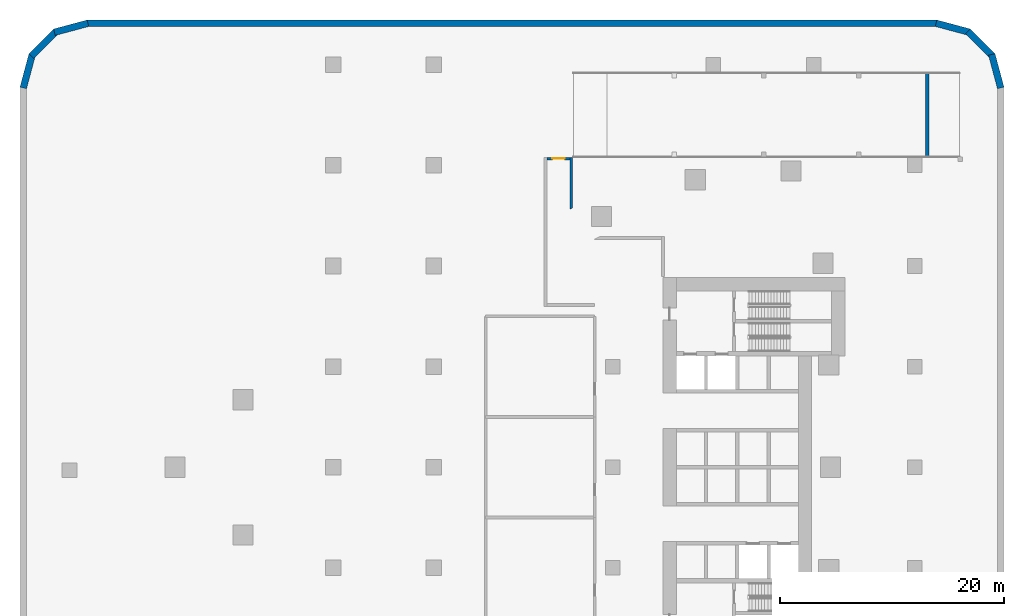
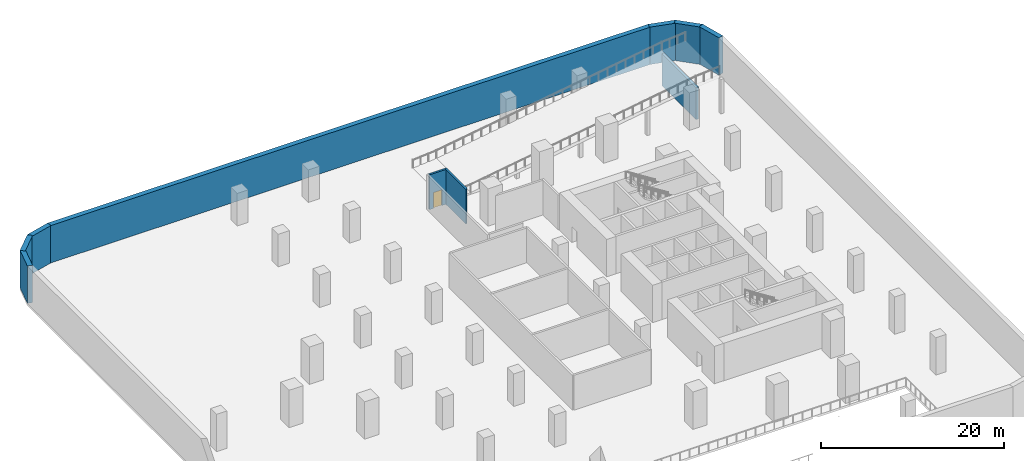
# One storey, part 5 of 9: 10 walls, 1 door, 1 opening.
"""IFC4 building model written with IfcOpenShell, lengths in metres."""

from ifc_helpers import new_model, si_unit, direction, frame, frame_2d, origin, place, context, subcontext, project, spatial, polyline, rectangle, outline, extrude, material, layer, layer_set, type_object, element, fill, save


model = new_model("IFC4")

# Units and contexts
model_context = context("Model", 3, precision=1e-05, world=origin(), true_north=direction((0.0, 1.0)))
body_context = subcontext(model_context, "Body", "Model", "MODEL_VIEW")
ifc_project = project(units=[si_unit("LENGTHUNIT", "METRE"), si_unit("AREAUNIT", "SQUARE_METRE"), si_unit("VOLUMEUNIT", "CUBIC_METRE"), si_unit("PLANEANGLEUNIT", "RADIAN"), si_unit("MASSUNIT", "GRAM", prefix="KILO")], contexts=[model_context])

# Site, building, storey
site_placement = place(None, origin())
site = spatial("IfcSite", under=ifc_project, at=site_placement, CompositionType="ELEMENT")
building_placement = place(site_placement, origin())
building = spatial("IfcBuilding", under=site, at=building_placement, Name="Ostrand Prow Hotel Tower", CompositionType="ELEMENT")
storey_placement = place(building_placement, frame((0.0, 0.0, -5.0)))
storey = spatial("IfcBuildingStorey", under=building, at=storey_placement, Name="B1", CompositionType="ELEMENT", Elevation=-5.0)

# Walls
ifc_material_1 = material(Name="Concrete C40/50", Category="concrete")
ifc_layer_1 = layer(ifc_material_1, 0.300048828125)
ifc_layer_set_1 = layer_set([ifc_layer_1], Name="Concrete C40/50")
wall_type_1 = type_object("IfcWallType", Name="Ramp support wall 300 C40/50", PredefinedType="SOLIDWALL", material=ifc_layer_set_1)
wall_1_placement = place(storey_placement, frame((73.14990234375, 27.75, 0.0), z_axis=(0.0, 0.0, 1.0), x_axis=(0.0, 1.0, 0.0)))
element("IfcWall", 1, at=wall_1_placement, inside=storey, type_object=wall_type_1, Name="Ramp support wall", PredefinedType="SOLIDWALL", context=body_context, shape_type="SweptSolid", body=[
    extrude(rectangle(XDim=7.5, YDim=0.300048828125, at=frame_2d((3.75, 0.0))), origin(), (0.0, 0.0, 1.0), 4.29443359375),
])
ifc_material_2 = material(Name="Concrete C40/50", Category="concrete")
ifc_layer_2 = layer(ifc_material_2, 0.60009765625)
ifc_layer_set_2 = layer_set([ifc_layer_2], Name="Concrete C40/50")
wall_type_2 = type_object("IfcWallType", Name="Retaining wall 600 C40/50", PredefinedType="STANDARD", material=ifc_layer_set_2)
for number, where, z_axis, x_axis, name in (
    (2, (79.710205078125, 33.92236328125, 0.0), (0.0, 0.0, 1.0), (-0.258777996848, 0.965936824201, 0.0), "Retaining wall B1-05"),
    (3, (78.98388671875, 36.787841796875, 0.0), (0.0, 0.0, 1.0), (-0.707106781187, 0.707106781187, 0.0), "Retaining wall B1-06"),
    (4, (76.92236328125, 38.906494140625, 0.0), (0.0, 0.0, 1.0), (-0.965936824201, 0.258777996848, 0.0), "Retaining wall B1-07"),
):
    element("IfcWall", number, at=place(storey_placement, frame(where, z_axis=z_axis, x_axis=x_axis)), inside=storey, type_object=wall_type_2, Name=name, PredefinedType="STANDARD", context=body_context, shape_type="SweptSolid", body=[
        extrude(rectangle(XDim=3.105712890625, YDim=0.60009765625, at=frame_2d((1.552734375, 0.0))), origin(), (0.0, 0.0, 1.0), 5.0),
    ])
wall_2_placement = place(storey_placement, frame((74.0, 39.699951171875, 0.0), z_axis=(0.0, 0.0, 1.0), x_axis=(-1.0, 0.0, 0.0)))
element("IfcWall", 5, at=wall_2_placement, inside=storey, type_object=wall_type_2, Name="Retaining wall B1-08", PredefinedType="STANDARD", context=body_context, shape_type="SweptSolid", body=[
    extrude(rectangle(XDim=76.0, YDim=0.60009765625, at=frame_2d((38.0, 0.0))), origin(), (0.0, 0.0, 1.0), 5.0),
])
for number, where, z_axis, x_axis, name in (
    (6, (-1.92236328125, 39.710205078125, 0.0), (0.0, 0.0, 1.0), (-0.965936824201, -0.258777996848, 0.0), "Retaining wall B1-09"),
    (7, (-4.787841796875, 38.98388671875, 0.0), (0.0, 0.0, 1.0), (-0.707106781187, -0.707106781187, 0.0), "Retaining wall B1-10"),
    (8, (-6.906494140625, 36.92236328125, 0.0), (0.0, 0.0, 1.0), (-0.258777996848, -0.965936824201, 0.0), "Retaining wall B1-11"),
):
    element("IfcWall", number, at=place(storey_placement, frame(where, z_axis=z_axis, x_axis=x_axis)), inside=storey, type_object=wall_type_2, Name=name, PredefinedType="STANDARD", context=body_context, shape_type="SweptSolid", body=[
        extrude(rectangle(XDim=3.105712890625, YDim=0.60009765625, at=frame_2d((1.552734375, 0.0))), origin(), (0.0, 0.0, 1.0), 5.0),
    ])

# Wall, opening, door
ifc_material_3 = material(Name="Concrete block wall", Category="concrete")
ifc_layer_3 = layer(ifc_material_3, 0.25)
ifc_layer_set_3 = layer_set([ifc_layer_3], Name="Concrete block wall")
wall_type_3 = type_object("IfcWallType", Name="Service fire wall 250 masonry", PredefinedType="PARTITIONING", material=ifc_layer_set_3)
wall_3_placement = place(storey_placement, frame((39.125, 27.60009765625, 0.0), z_axis=(0.0, 0.0, 1.0), x_axis=(1.0, 0.0, 0.0)))
wall_3 = element("IfcWall", 9, at=wall_3_placement, inside=storey, type_object=wall_type_3, Name="STAIR ACCESS WALL", PredefinedType="PARTITIONING", context=body_context, shape_type="SweptSolid", body=[
    extrude(rectangle(XDim=2.050048828125, YDim=0.25, at=frame_2d((1.02490234375, 0.0))), origin(), (0.0, 0.0, 1.0), 4.64990234375),
])
opening_placement = place(wall_3_placement, frame((0.47509765625, 0.0, 0.0)))
opening = element("IfcOpeningElement", 10, at=opening_placement, cuts=wall_3, Name="Opening FD1", PredefinedType="OPENING", context=body_context, shape_type="SweptSolid", body=[
    extrude(rectangle(XDim=1.10009765625, YDim=2.10009765625, at=frame_2d((0.550048828125, 1.050048828125))), frame((0.0, 0.135009765625, 0.0), z_axis=(0.0, -1.0, 0.0), x_axis=(1.0, 0.0, 0.0)), (0.0, 0.0, 1.0), 0.27001953125),
])
ifc_material_4 = material(Name="Steel fire door", Category="steel")
door_type = type_object("IfcDoorType", Name="Fire door 1100 EI120", OperationType="SINGLE_SWING_RIGHT", PredefinedType="DOOR", material=ifc_material_4)
door_placement = place(opening_placement, origin())
door = element("IfcDoor", 11, at=door_placement, inside=storey, type_object=door_type, Name="FIRE DOOR FD1", OperationType="SINGLE_SWING_RIGHT", OverallHeight=2.10009765625, OverallWidth=1.10009765625, PredefinedType="DOOR", context=body_context, shape_type="SweptSolid", body=[
    extrude(rectangle(XDim=1.10009765625, YDim=2.10009765625, at=frame_2d((0.550048828125, 1.050048828125))), frame((0.0, 0.02490234375, 0.0), z_axis=(0.0, -1.0, 0.0), x_axis=(1.0, 0.0, 0.0)), (0.0, 0.0, 1.0), 0.050048828125),
])
fill(opening, door)

# Wall
wall_4_placement = place(storey_placement, frame((41.300048828125, 23.141357421875, 0.0), z_axis=(0.0, 0.0, 1.0), x_axis=(0.0, 1.0, 0.0)))
element("IfcWall", 12, at=wall_4_placement, inside=storey, type_object=wall_type_3, Name="STAIR ACCESS WALL", PredefinedType="PARTITIONING", context=body_context, shape_type="SweptSolid", body=[
    extrude(outline(polyline([(0.064697265625, -0.125), (4.583740234375, -0.125), (4.583740234375, 0.125), (-0.064697265625, 0.125), (0.064697265625, -0.125)])), origin(), (0.0, 0.0, 1.0), 4.64990234375),
])

save(model, "model.ifc")
